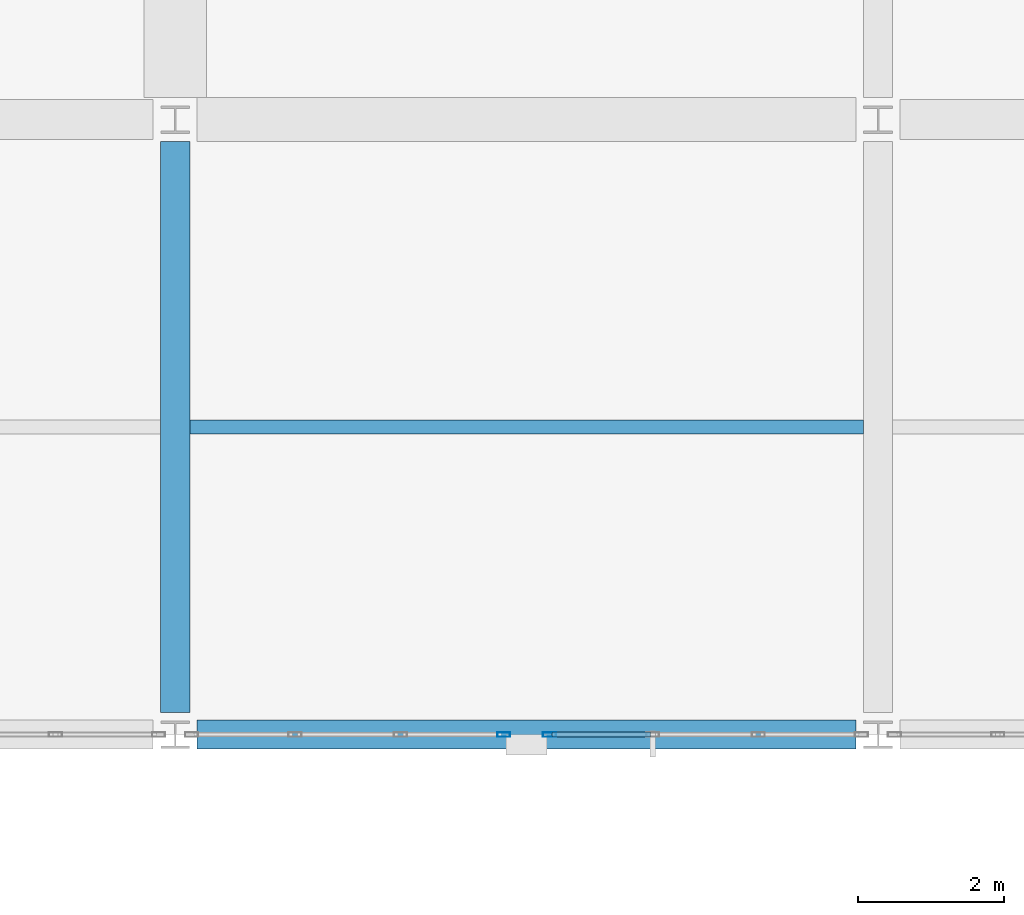
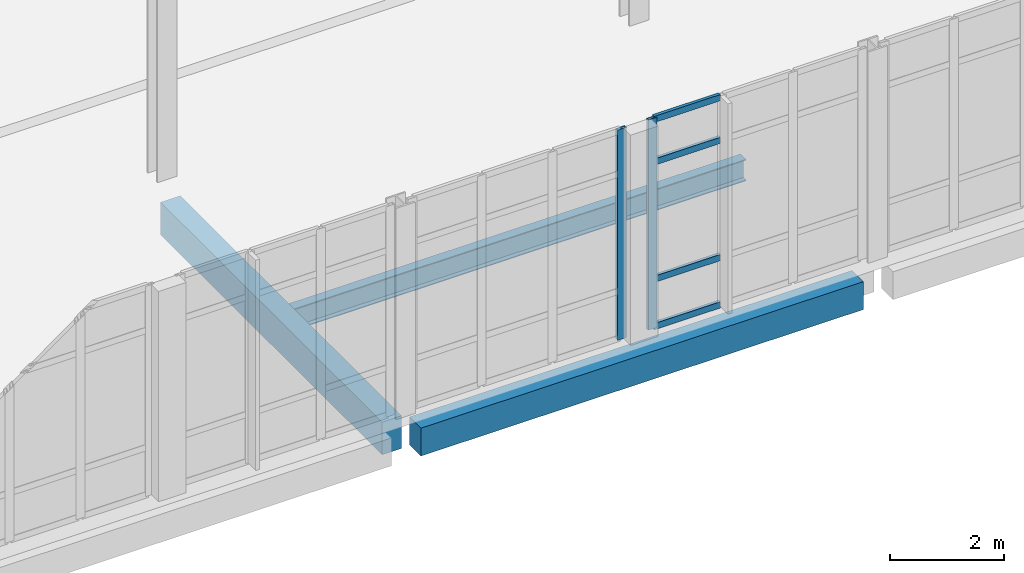
# One storey, part 51 of 102: 6 members, 3 beams, 2 elements without a shape of their own.
"""IFC4 building model written with IfcOpenShell, lengths in metres."""

from ifc_helpers import new_model, si_unit, direction, frame, origin, origin_2d, place, context, subcontext, project, spatial, rectangle, hollow_rectangle, i_section, extrude, material, layer, layer_set, material_profile, profile_set, type_object, element, aggregate, save


model = new_model("IFC4")

# Units and contexts
model_context = context("Model", 3, precision=1e-05, world=origin(), true_north=direction((0.0, 1.0)))
body_context = subcontext(model_context, "Body", "Model", "MODEL_VIEW")
ifc_project = project(units=[si_unit("LENGTHUNIT", "METRE"), si_unit("AREAUNIT", "SQUARE_METRE"), si_unit("VOLUMEUNIT", "CUBIC_METRE"), si_unit("PLANEANGLEUNIT", "RADIAN"), si_unit("MASSUNIT", "GRAM", prefix="KILO")], contexts=[model_context])

# Site, building, storey
site_placement = place(None, origin())
site = spatial("IfcSite", under=ifc_project, at=site_placement, CompositionType="ELEMENT")
building_placement = place(site_placement, origin())
building = spatial("IfcBuilding", under=site, at=building_placement, Name="Lornevale Opera House", CompositionType="ELEMENT")
storey_placement = place(building_placement, frame((0.0, 0.0, 5.39990234375)))
storey = spatial("IfcBuildingStorey", under=building, at=storey_placement, Name="L02", CompositionType="ELEMENT", Elevation=5.39990234375)

# Beams
ifc_material_1 = material(Name="Concrete 35 MPa (CSA A23.1 N)", Category="concrete")
ifc_material_profile_1 = material_profile(ifc_material_1, rectangle(XDim=0.39990234375, YDim=0.699951171875, at=origin_2d()), Name="RC400x700")
ifc_profile_set_1 = profile_set([ifc_material_profile_1], Name="Concrete 35 MPa (CSA A23.1 N)")
beam_type_1 = type_object("IfcBeamType", Name="Concrete Floor Beam 400x700", PredefinedType="USERDEFINED", material=ifc_profile_set_1)
beam_1_placement = place(storey_placement, frame((9.60009765625, 67.5, -0.699951171875), z_axis=(0.0, 1.0, 0.0), x_axis=(-1.0, 0.0, 0.0)))
element("IfcBeam", 1, at=beam_1_placement, inside=storey, type_object=beam_type_1, Name="Concrete Floor Beam 400x700 1835", ObjectType="GIRDER", PredefinedType="USERDEFINED", context=body_context, shape_type="SweptSolid", body=[
    extrude(rectangle(XDim=0.39990234375, YDim=0.699951171875, at=origin_2d()), origin(), (0.0, 0.0, 1.0), 7.800048828125),
])
ifc_material_profile_2 = material_profile(ifc_material_1, rectangle(XDim=0.39990234375, YDim=0.60009765625, at=origin_2d()), Name="RC400x600")
ifc_profile_set_2 = profile_set([ifc_material_profile_2], Name="Concrete 35 MPa (CSA A23.1 N)")
beam_type_2 = type_object("IfcBeamType", Name="Concrete Spandrel Beam 400x600", PredefinedType="SPANDREL", material=ifc_profile_set_2)
beam_2_placement = place(storey_placement, frame((9.89990234375, 67.199951171875, -0.64990234375), z_axis=(1.0, 0.0, 0.0), x_axis=(0.0, 1.0, 0.0)))
element("IfcBeam", 2, at=beam_2_placement, inside=storey, type_object=beam_type_2, Name="Concrete Spandrel Beam 400x600 1757", PredefinedType="SPANDREL", context=body_context, shape_type="SweptSolid", body=[
    extrude(rectangle(XDim=0.39990234375, YDim=0.60009765625, at=origin_2d()), origin(), (0.0, 0.0, 1.0), 9.0),
])

# Curtain wall, member
ifc_material_2 = material(Name="Anodized Oxide-Green Aluminium Framing", Category="aluminium")
ifc_layer = layer(ifc_material_2, 0.175048828125)
ifc_layer_set = layer_set([ifc_layer], Name="Anodized Oxide-Green Aluminium Framing")
curtain_wall_type = type_object("IfcCurtainWallType", Name="Chamber Cloister Curtain Wall M1700", PredefinedType="NOTDEFINED", material=ifc_layer_set)
curtain_wall_1_placement = place(storey_placement, origin())
curtain_wall_1 = element("IfcCurtainWall", 3, at=curtain_wall_1_placement, inside=storey, type_object=curtain_wall_type, Name="Chamber Cloister Curtain Wall M1700 CW-033", PredefinedType="NOTDEFINED")
ifc_material_profile_3 = material_profile(ifc_material_2, hollow_rectangle(XDim=0.06494140625, YDim=0.179931640625, WallThickness=0.0048828125, at=origin_2d()), Name="ALU65x180x5")
ifc_profile_set_3 = profile_set([ifc_material_profile_3], Name="Anodized Oxide-Green Aluminium Framing")
member_type_1 = type_object("IfcMemberType", Name="Curtain Wall Mullion 65x180", PredefinedType="MULLION", material=ifc_profile_set_3)
member_1_placement = place(storey_placement, frame((14.71240234375, 67.199951171875, 0.0), z_axis=(0.0, 0.0, 1.0), x_axis=(0.0, -1.0, 0.0)))
member_1 = element("IfcMember", 4, at=member_1_placement, type_object=member_type_1, Name="Curtain Wall Mullion 65x180 CW0636", PredefinedType="MULLION", context=body_context, shape_type="SweptSolid", body=[
    extrude(hollow_rectangle(XDim=0.06494140625, YDim=0.179931640625, WallThickness=0.0048828125, at=origin_2d()), origin(), (0.0, 0.0, 1.0), 4.52001953125),
])

curtain_wall_2_placement = place(storey_placement, origin())
curtain_wall_2 = element("IfcCurtainWall", 5, at=curtain_wall_2_placement, inside=storey, type_object=curtain_wall_type, Name="Chamber Cloister Curtain Wall M1700 CW-034", PredefinedType="NOTDEFINED")
member_2_placement = place(storey_placement, frame((14.08740234375, 67.199951171875, 0.0), z_axis=(0.0, 0.0, 1.0), x_axis=(0.0, -1.0, 0.0)))
member_2 = element("IfcMember", 6, at=member_2_placement, type_object=member_type_1, Name="Curtain Wall Mullion 65x180 CW0658", PredefinedType="MULLION", context=body_context, shape_type="SweptSolid", body=[
    extrude(hollow_rectangle(XDim=0.06494140625, YDim=0.179931640625, WallThickness=0.0048828125, at=origin_2d()), origin(), (0.0, 0.0, 1.0), 4.52001953125),
])
aggregate(curtain_wall_2, [member_2])

# Member
ifc_material_profile_4 = material_profile(ifc_material_2, hollow_rectangle(XDim=0.06494140625, YDim=0.135009765625, WallThickness=0.00390625, at=origin_2d()), Name="ALU65x135x4")
ifc_profile_set_4 = profile_set([ifc_material_profile_4], Name="Anodized Oxide-Green Aluminium Framing")
member_type_2 = type_object("IfcMemberType", Name="Curtain Wall Transom 65x135", PredefinedType="USERDEFINED", material=ifc_profile_set_4)
member_3_placement = place(storey_placement, frame((16.08984375, 67.199951171875, 0.03271484375), z_axis=(-1.0, 0.0, 0.0), x_axis=(0.0, -1.0, 0.0)))
member_3 = element("IfcMember", 7, at=member_3_placement, type_object=member_type_2, Name="Curtain Wall Transom 65x135 CW0651", ObjectType="TRANSOM", PredefinedType="USERDEFINED", context=body_context, shape_type="SweptSolid", body=[
    extrude(hollow_rectangle(XDim=0.06494140625, YDim=0.135009765625, WallThickness=0.00390625, at=origin_2d()), origin(), (0.0, 0.0, 1.0), 1.3447265625),
])

member_4_placement = place(storey_placement, frame((16.08984375, 67.199951171875, 1.050048828125), z_axis=(-1.0, 0.0, 0.0), x_axis=(0.0, -1.0, 0.0)))
member_4 = element("IfcMember", 8, at=member_4_placement, type_object=member_type_2, Name="Curtain Wall Transom 65x135 CW0652", ObjectType="TRANSOM", PredefinedType="USERDEFINED", context=body_context, shape_type="SweptSolid", body=[
    extrude(hollow_rectangle(XDim=0.06494140625, YDim=0.135009765625, WallThickness=0.00390625, at=origin_2d()), origin(), (0.0, 0.0, 1.0), 1.3447265625),
])

member_5_placement = place(storey_placement, frame((16.08984375, 67.199951171875, 3.570068359375), z_axis=(-1.0, 0.0, 0.0), x_axis=(0.0, -1.0, 0.0)))
member_5 = element("IfcMember", 9, at=member_5_placement, type_object=member_type_2, Name="Curtain Wall Transom 65x135 CW0653", ObjectType="TRANSOM", PredefinedType="USERDEFINED", context=body_context, shape_type="SweptSolid", body=[
    extrude(hollow_rectangle(XDim=0.06494140625, YDim=0.135009765625, WallThickness=0.00390625, at=origin_2d()), origin(), (0.0, 0.0, 1.0), 1.3447265625),
])

member_6_placement = place(storey_placement, frame((16.08984375, 67.199951171875, 4.487548828125), z_axis=(-1.0, 0.0, 0.0), x_axis=(0.0, -1.0, 0.0)))
member_6 = element("IfcMember", 10, at=member_6_placement, type_object=member_type_2, Name="Curtain Wall Transom 65x135 CW0654", ObjectType="TRANSOM", PredefinedType="USERDEFINED", context=body_context, shape_type="SweptSolid", body=[
    extrude(hollow_rectangle(XDim=0.06494140625, YDim=0.135009765625, WallThickness=0.00390625, at=origin_2d()), origin(), (0.0, 0.0, 1.0), 1.3447265625),
])

aggregate(curtain_wall_1, [member_1, member_3, member_4, member_5, member_6])

# Beam
ifc_material_3 = material(Name="Structural Steel CSA G40.21 Grade 350W (350 MPa)", Category="steel")
ifc_material_profile_5 = material_profile(ifc_material_3, i_section(OverallWidth=0.19189453125, OverallDepth=0.462890625, WebThickness=0.010498046875, FlangeThickness=0.017578125, at=origin_2d()), Name="W460x89")
ifc_profile_set_5 = profile_set([ifc_material_profile_5], Name="Structural Steel CSA G40.21 Grade 350W (350 MPa)")
beam_type_3 = type_object("IfcBeamType", Name="Steel Floor Joist W460x89", PredefinedType="JOIST", material=ifc_profile_set_5)
beam_3_placement = place(storey_placement, frame((9.800048828125, 71.39990234375, -0.596435546875), z_axis=(1.0, 0.0, 0.0), x_axis=(0.0, 1.0, 0.0)))
element("IfcBeam", 11, at=beam_3_placement, inside=storey, type_object=beam_type_3, Name="Steel Floor Joist W460x89 1983", PredefinedType="JOIST", context=body_context, shape_type="SweptSolid", body=[
    extrude(i_section(OverallWidth=0.19189453125, OverallDepth=0.462890625, WebThickness=0.010498046875, FlangeThickness=0.017578125, at=origin_2d()), origin(), (0.0, 0.0, 1.0), 9.199951171875),
])

save(model, "model.ifc")
